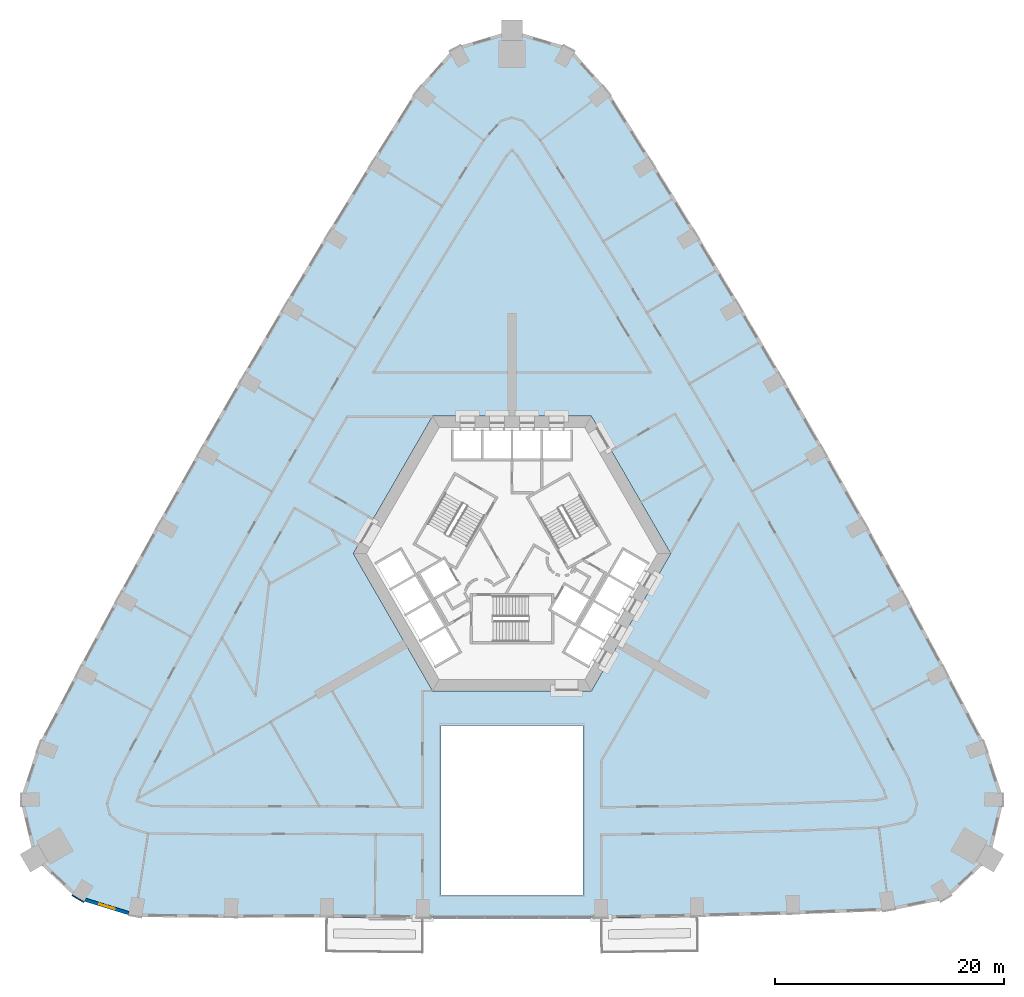
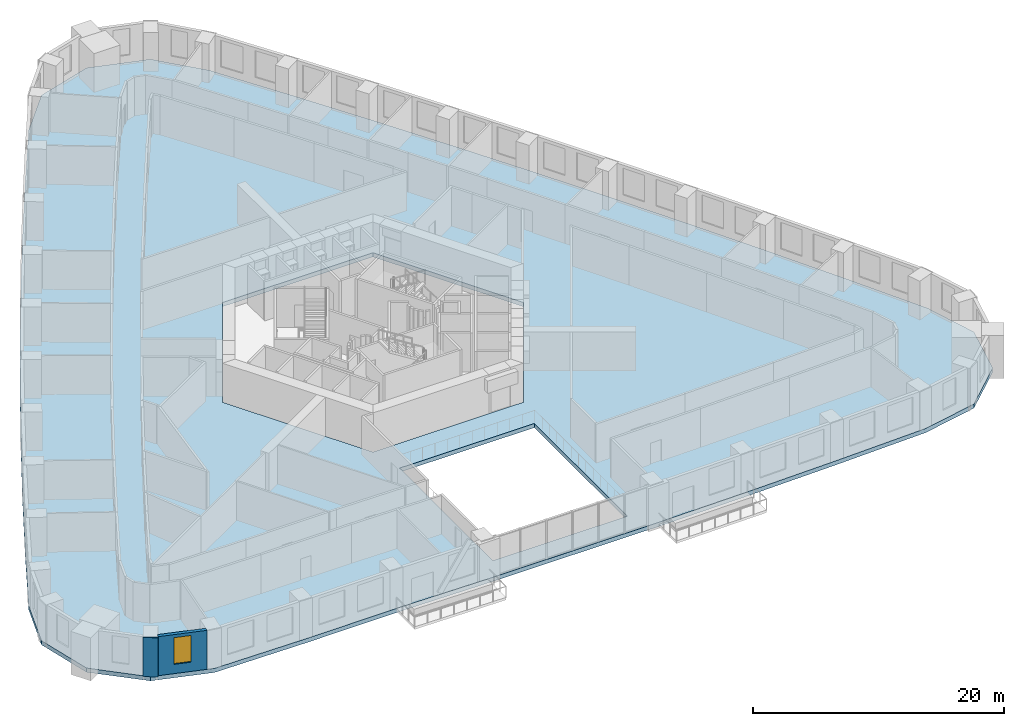
# One storey, part 3 of 14: 2 walls, 1 slab, 1 window, 1 opening.
"""IFC4 building model written with IfcOpenShell, lengths in metres."""

from ifc_helpers import new_model, si_unit, direction, frame, frame_2d, origin, place, context, subcontext, project, spatial, polyline, rectangle, outline, extrude, material, layer, layer_set, type_object, element, fill, save


model = new_model("IFC4")

# Units and contexts
model_context = context("Model", 3, precision=1e-05, world=origin(), true_north=direction((0.0, 1.0)))
body_context = subcontext(model_context, "Body", "Model", "MODEL_VIEW")
ifc_project = project(units=[si_unit("LENGTHUNIT", "METRE"), si_unit("AREAUNIT", "SQUARE_METRE"), si_unit("VOLUMEUNIT", "CUBIC_METRE"), si_unit("PLANEANGLEUNIT", "RADIAN"), si_unit("MASSUNIT", "GRAM", prefix="KILO")], contexts=[model_context])

# Site, building, storey
site_placement = place(None, origin())
site = spatial("IfcSite", under=ifc_project, at=site_placement, CompositionType="ELEMENT")
building_placement = place(site_placement, origin())
building = spatial("IfcBuilding", under=site, at=building_placement, Name="Entoto Arch Interchange Tower", CompositionType="ELEMENT")
storey_placement = place(building_placement, frame((0.0, 0.0, 64.39990234375)))
storey = spatial("IfcBuildingStorey", under=building, at=storey_placement, Name="L13", CompositionType="ELEMENT", Elevation=64.39990234375)

# Slab
ifc_material_1 = material(Name="Concrete C40/50", Category="concrete")
ifc_layer_1 = layer(ifc_material_1, 0.39990234375)
ifc_layer_set_1 = layer_set([ifc_layer_1], Name="Concrete C40/50")
slab_type = type_object("IfcSlabType", Name="Post-tensioned flat plate 400 C40/50", PredefinedType="FLOOR", material=ifc_layer_set_1)
slab_placement = place(storey_placement, frame((0.0, 0.0, -0.39990234375)))
element("IfcSlab", 1, at=slab_placement, inside=storey, type_object=slab_type, Name="Floor slab L13", PredefinedType="FLOOR", context=body_context, shape_type="SweptSolid", body=[
    extrude(outline(polyline([(-32.910888671875, -29.23291015625), (-24.5400390625, -29.31494140625), (-16.169921875, -29.26806640625), (-7.800048828125, -29.361083984375), (7.800048828125, -29.361083984375), (16.169921875, -29.23193359375), (24.5400390625, -29.012939453125), (32.910888671875, -28.705078125), (37.924072265625, -27.681884765625), (41.72705078125, -24.091064453125), (42.93505859375, -19.001953125), (41.387939453125, -14.291015625), (37.912109375, -7.7099609375), (34.429931640625, -1.264892578125), (30.887939453125, 5.14599609375), (27.284912109375, 11.52392578125), (23.623046875, 17.866943359375), (19.89990234375, 24.176025390625), (16.118896484375, 30.449951171875), (12.279052734375, 36.68798828125), (8.318115234375, 42.988037109375), (5.010986328125, 46.68408203125), (0.0, 48.181884765625), (-5.010986328125, 46.68408203125), (-8.318115234375, 42.988037109375), (-12.279052734375, 36.68798828125), (-16.118896484375, 30.449951171875), (-19.89990234375, 24.176025390625), (-23.623046875, 17.866943359375), (-27.284912109375, 11.52392578125), (-30.887939453125, 5.14599609375), (-34.429931640625, -1.264892578125), (-37.912109375, -7.7099609375), (-41.387939453125, -14.291015625), (-42.93505859375, -19.001953125), (-41.72705078125, -24.091064453125), (-37.924072265625, -27.681884765625), (-32.910888671875, -29.23291015625)]), holes=[polyline([(6.199951171875, -27.361083984375), (6.199951171875, -12.5), (-6.199951171875, -12.5), (-6.199951171875, -27.361083984375), (6.199951171875, -27.361083984375)]), polyline([(13.85595703125, 2.5), (6.927978515625, 14.5), (-6.927978515625, 14.5), (-13.85595703125, 2.5), (-6.927978515625, -9.5), (6.927978515625, -9.5), (13.85595703125, 2.5)])]), origin(), (0.0, 0.0, 1.0), 0.39990234375),
])

# Wall, opening, window
ifc_material_2 = material(Name="Welded tuff (ignimbrite) cladding, warm buff", Category="masonry")
ifc_layer_2 = layer(ifc_material_2, 0.300048828125)
ifc_layer_set_2 = layer_set([ifc_layer_2], Name="Welded tuff (ignimbrite) cladding, warm buff")
wall_type_1 = type_object("IfcWallType", Name="STONE INFILL WALL 300", PredefinedType="STANDARD", material=ifc_layer_set_2)
wall_1_placement = place(storey_placement, frame((-37.25390625, -27.73193359375, 0.0), z_axis=(0.0, 0.0, 1.0), x_axis=(0.955308230541, -0.295611543518, 0.0)))
wall_1 = element("IfcWall", 2, at=wall_1_placement, inside=storey, type_object=wall_type_1, Name="Facade wall SW-04 L13", PredefinedType="STANDARD", context=body_context, shape_type="SweptSolid", body=[
    extrude(rectangle(XDim=3.96826171875, YDim=0.300048828125, at=frame_2d((1.984130859375, 0.0))), origin(), (0.0, 0.0, 1.0), 3.800048828125),
])
opening_placement = place(wall_1_placement, frame((1.283935546875, 0.0, 0.89990234375)))
opening = element("IfcOpeningElement", 3, at=opening_placement, cuts=wall_1, Name="Opening WO-B", PredefinedType="OPENING", context=body_context, shape_type="SweptSolid", body=[
    extrude(rectangle(XDim=1.39990234375, YDim=2.60009765625, at=frame_2d((0.699951171875, 1.300048828125))), frame((0.0, 0.16015625, 0.0), z_axis=(0.0, -1.0, 0.0), x_axis=(1.0, 0.0, 0.0)), (0.0, 0.0, 1.0), 0.320068359375),
])
ifc_material_3 = material(Name="Clear glass, low-e double glazed", Category="glass")
window_type = type_object("IfcWindowType", Name="WINDOW WO-B 1400x2600", PartitioningType="DOUBLE_PANEL_VERTICAL", PredefinedType="WINDOW", material=ifc_material_3)
window_placement = place(opening_placement, origin())
window = element("IfcWindow", 4, at=window_placement, inside=storey, type_object=window_type, Name="Window WO-B SW-04 L13", OverallHeight=2.60009765625, OverallWidth=1.39990234375, PartitioningType="SINGLE_PANEL", PredefinedType="WINDOW", context=body_context, shape_type="SweptSolid", body=[
    extrude(rectangle(XDim=1.39990234375, YDim=2.60009765625, at=frame_2d((0.699951171875, 1.300048828125))), frame((0.0, 0.030029296875, 0.0), z_axis=(0.0, -1.0, 0.0), x_axis=(1.0, 0.0, 0.0)), (0.0, 0.0, 1.0), 0.06005859375),
])
fill(opening, window)

# Wall
ifc_layer_3 = layer(ifc_material_2, 0.10009765625)
ifc_layer_set_3 = layer_set([ifc_layer_3], Name="Welded tuff (ignimbrite) cladding, warm buff")
wall_type_2 = type_object("IfcWallType", Name="STONE PIER CLADDING 100", PredefinedType="STANDARD", material=ifc_layer_set_3)
wall_2_placement = place(storey_placement, frame((-38.410888671875, -27.327880859375, 0.0), z_axis=(0.0, 0.0, 1.0), x_axis=(0.854716608594, -0.519094903649, 0.0)))
element("IfcWall", 5, at=wall_2_placement, inside=storey, type_object=wall_type_2, Name="Stone pier SW3 L13", PredefinedType="STANDARD", context=body_context, shape_type="SweptSolid", body=[
    extrude(rectangle(XDim=1.2001953125, YDim=0.10009765625, at=frame_2d((0.60009765625, 0.0))), origin(), (0.0, 0.0, 1.0), 3.800048828125),
])

save(model, "model.ifc")
